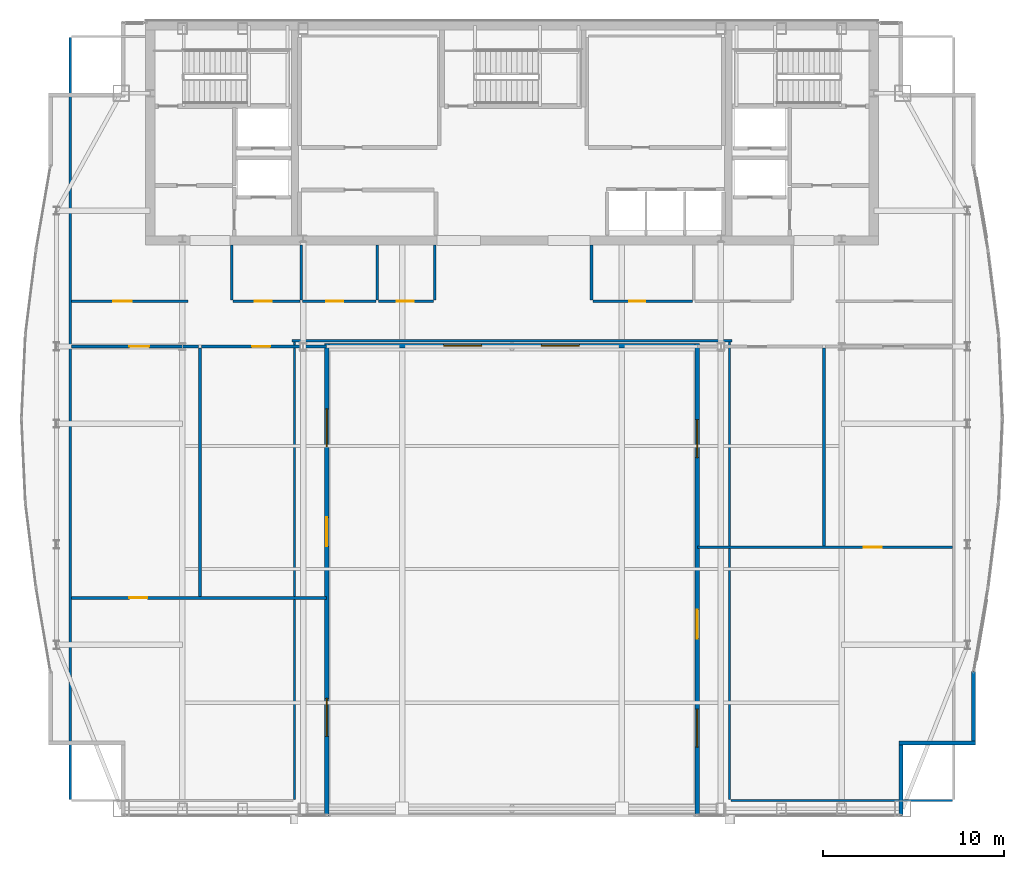
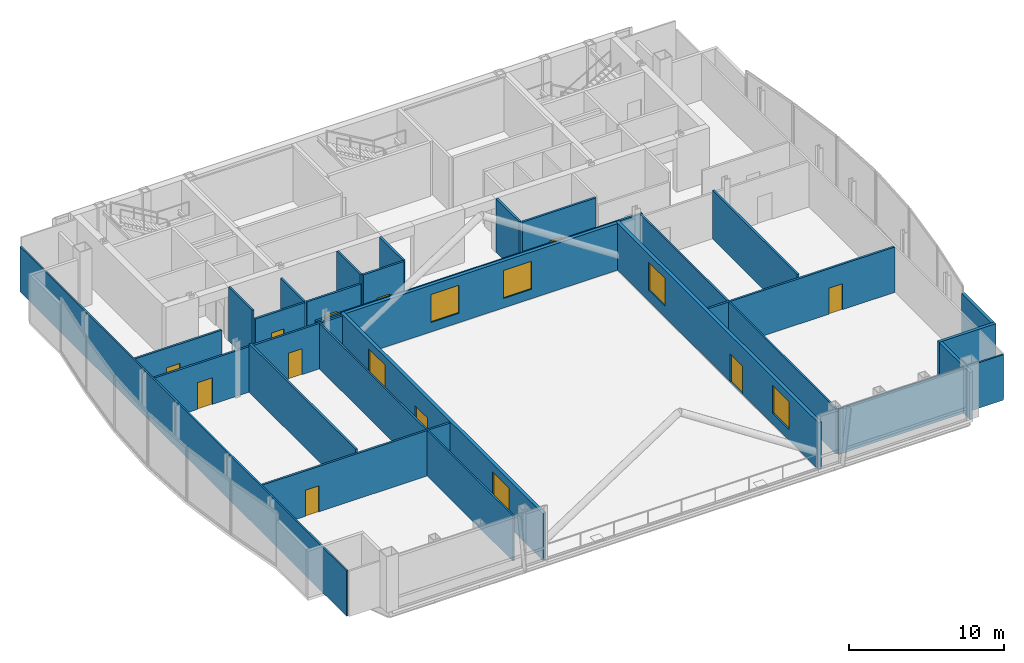
# One storey, part 22 of 27: 27 walls, 11 doors, 6 windows, 17 openings.
"""IFC4 building model written with IfcOpenShell, lengths in metres."""

from ifc_helpers import new_model, si_unit, direction, frame, frame_2d, origin, place, context, subcontext, project, spatial, rectangle, extrude, material, layer, layer_set, type_object, element, fill, save


model = new_model("IFC4")

# Units and contexts
model_context = context("Model", 3, precision=1e-05, world=origin(), true_north=direction((0.0, 1.0)))
body_context = subcontext(model_context, "Body", "Model", "MODEL_VIEW")
ifc_project = project(units=[si_unit("LENGTHUNIT", "METRE"), si_unit("AREAUNIT", "SQUARE_METRE"), si_unit("VOLUMEUNIT", "CUBIC_METRE"), si_unit("PLANEANGLEUNIT", "RADIAN"), si_unit("MASSUNIT", "GRAM", prefix="KILO")], contexts=[model_context])

# Site, building, storey
site_placement = place(None, origin())
site = spatial("IfcSite", under=ifc_project, at=site_placement, CompositionType="ELEMENT")
building_placement = place(site_placement, origin())
building = spatial("IfcBuilding", under=site, at=building_placement, Name="Khoronbel Lancet Exchange", CompositionType="ELEMENT")
storey_placement = place(building_placement, frame((0.0, 0.0, 305.800048828125)))
storey = spatial("IfcBuildingStorey", under=building, at=storey_placement, Name="L79", CompositionType="ELEMENT", Elevation=305.800048828125)

# Walls
ifc_material_1 = material(Name="Precast concrete C40/50", Category="concrete")
ifc_layer_1 = layer(ifc_material_1, 0.25, Name="Precast concrete C40/50")
ifc_layer_set_1 = layer_set([ifc_layer_1], Name="Precast concrete C40/50")
wall_type_1 = type_object("IfcWallType", Name="WL-EXT250", PredefinedType="SOLIDWALL", material=ifc_layer_set_1)
wall_1_placement = place(storey_placement, frame((61.9599609375, 17.727783203125, 0.0), z_axis=(0.0, 0.0, 1.0), x_axis=(0.0, -1.0, 0.0)))
element("IfcWall", 1, at=wall_1_placement, inside=storey, type_object=wall_type_1, Name="Level L79 notched-corner limestone pier 23", PredefinedType="SOLIDWALL", context=body_context, shape_type="SweptSolid", body=[
    extrude(rectangle(XDim=3.827880859375, YDim=0.219970703125, at=frame_2d((1.9140625, 0.0))), origin(), (0.0, 0.0, 1.0), 3.679931640625),
])
wall_2_placement = place(storey_placement, frame((62.070068359375, 13.7900390625, 0.0), z_axis=(0.0, 0.0, 1.0), x_axis=(-1.0, 0.0, 0.0)))
element("IfcWall", 2, at=wall_2_placement, inside=storey, type_object=wall_type_1, Name="Level L79 notched-corner limestone pier 24", PredefinedType="SOLIDWALL", context=body_context, shape_type="SweptSolid", body=[
    extrude(rectangle(XDim=4.219970703125, YDim=0.219970703125, at=frame_2d((2.10986328125, 0.0))), origin(), (0.0, 0.0, 1.0), 3.679931640625),
])
wall_3_placement = place(storey_placement, frame((57.9599609375, 13.679931640625, 0.0), z_axis=(0.0, 0.0, 1.0), x_axis=(0.0, -1.0, 0.0)))
element("IfcWall", 3, at=wall_3_placement, inside=storey, type_object=wall_type_1, Name="Level L79 notched-corner limestone pier 25", PredefinedType="SOLIDWALL", context=body_context, shape_type="SweptSolid", body=[
    extrude(rectangle(XDim=3.909912109375, YDim=0.219970703125, at=frame_2d((1.955078125, 0.0))), origin(), (0.0, 0.0, 1.0), 3.679931640625),
])

# Wall, openings, door, windows
wall_4_placement = place(storey_placement, frame((26.199951171875, 35.875, 0.0), z_axis=(0.0, 0.0, 1.0), x_axis=(0.0, -1.0, 0.0)))
wall_4 = element("IfcWall", 4, at=wall_4_placement, inside=storey, type_object=wall_type_1, Name="Level L79 wind-portal west flank wall", PredefinedType="SOLIDWALL", context=body_context, shape_type="SweptSolid", body=[
    extrude(rectangle(XDim=26.10498046875, YDim=0.25, at=frame_2d((13.052490234375, 0.0))), origin(), (0.0, 0.0, 1.0), 3.679931640625),
])
opening_1_placement = place(wall_4_placement, frame((9.625, 0.0, 0.0)))
opening_1 = element("IfcOpeningElement", 5, at=opening_1_placement, cuts=wall_4, Name="Opening TD1", PredefinedType="OPENING", context=body_context, shape_type="SweptSolid", body=[
    extrude(rectangle(XDim=1.60009765625, YDim=2.199951171875, at=frame_2d((0.800048828125, 1.10009765625))), frame((0.0, 0.135009765625, 0.0), z_axis=(0.0, -1.0, 0.0), x_axis=(1.0, 0.0, 0.0)), (0.0, 0.0, 1.0), 0.27001953125),
])
opening_2_placement = place(wall_4_placement, frame((3.625, 0.0, 0.85009765625)))
opening_2 = element("IfcOpeningElement", 6, at=opening_2_placement, cuts=wall_4, Name="Opening W5", PredefinedType="OPENING", context=body_context, shape_type="SweptSolid", body=[
    extrude(rectangle(XDim=2.10009765625, YDim=2.199951171875, at=frame_2d((1.050048828125, 1.10009765625))), frame((0.0, 0.135009765625, 0.0), z_axis=(0.0, -1.0, 0.0), x_axis=(1.0, 0.0, 0.0)), (0.0, 0.0, 1.0), 0.27001953125),
])
opening_3_placement = place(wall_4_placement, frame((19.625, 0.0, 0.85009765625)))
opening_3 = element("IfcOpeningElement", 7, at=opening_3_placement, cuts=wall_4, Name="Opening W5", PredefinedType="OPENING", context=body_context, shape_type="SweptSolid", body=[
    extrude(rectangle(XDim=2.10009765625, YDim=2.199951171875, at=frame_2d((1.050048828125, 1.10009765625))), frame((0.0, 0.135009765625, 0.0), z_axis=(0.0, -1.0, 0.0), x_axis=(1.0, 0.0, 0.0)), (0.0, 0.0, 1.0), 0.27001953125),
])
ifc_material_2 = material(Name="Glazed Bronze-Anodised Aluminium Door Assembly", Category="aluminium")
door_type_1 = type_object("IfcDoorType", Name="DR-TD1", OperationType="NOTDEFINED", PredefinedType="DOOR", material=ifc_material_2)
door_1_placement = place(opening_1_placement, origin())
door_1 = element("IfcDoor", 8, at=door_1_placement, inside=storey, type_object=door_type_1, Name="Wind portal west observation deck door", OperationType="DOUBLE_DOOR_SINGLE_SWING", OverallHeight=2.199951171875, OverallWidth=1.60009765625, PredefinedType="DOOR", context=body_context, shape_type="SweptSolid", body=[
    extrude(rectangle(XDim=1.60009765625, YDim=2.199951171875, at=frame_2d((0.800048828125, 1.10009765625))), frame((0.0, 0.02490234375, 0.0), z_axis=(0.0, -1.0, 0.0), x_axis=(1.0, 0.0, 0.0)), (0.0, 0.0, 1.0), 0.050048828125),
])
fill(opening_1, door_1)
ifc_material_3 = material(Name="Low-E Solar Control Insulating Glass", Category="glass")
window_type = type_object("IfcWindowType", Name="WIN-W5", PartitioningType="SINGLE_PANEL", PredefinedType="WINDOW", material=ifc_material_3)
window_1_placement = place(opening_2_placement, origin())
window_1 = element("IfcWindow", 9, at=window_1_placement, inside=storey, type_object=window_type, Name="WIN-L79-PORTAL-W1", OverallHeight=2.199951171875, OverallWidth=2.10009765625, PartitioningType="SINGLE_PANEL", PredefinedType="WINDOW", context=body_context, shape_type="SweptSolid", body=[
    extrude(rectangle(XDim=2.10009765625, YDim=2.199951171875, at=frame_2d((1.050048828125, 1.10009765625))), frame((0.0, 0.030029296875, 0.0), z_axis=(0.0, -1.0, 0.0), x_axis=(1.0, 0.0, 0.0)), (0.0, 0.0, 1.0), 0.06005859375),
])
fill(opening_2, window_1)
window_2_placement = place(opening_3_placement, origin())
window_2 = element("IfcWindow", 10, at=window_2_placement, inside=storey, type_object=window_type, Name="WIN-L79-PORTAL-W2", OverallHeight=2.199951171875, OverallWidth=2.10009765625, PartitioningType="SINGLE_PANEL", PredefinedType="WINDOW", context=body_context, shape_type="SweptSolid", body=[
    extrude(rectangle(XDim=2.10009765625, YDim=2.199951171875, at=frame_2d((1.050048828125, 1.10009765625))), frame((0.0, 0.030029296875, 0.0), z_axis=(0.0, -1.0, 0.0), x_axis=(1.0, 0.0, 0.0)), (0.0, 0.0, 1.0), 0.06005859375),
])
fill(opening_3, window_2)

wall_5_placement = place(storey_placement, frame((46.699951171875, 9.77001953125, 0.0), z_axis=(0.0, 0.0, 1.0), x_axis=(0.0, 1.0, 0.0)))
wall_5 = element("IfcWall", 11, at=wall_5_placement, inside=storey, type_object=wall_type_1, Name="Level L79 wind-portal east flank wall", PredefinedType="SOLIDWALL", context=body_context, shape_type="SweptSolid", body=[
    extrude(rectangle(XDim=26.10498046875, YDim=0.25, at=frame_2d((13.052490234375, 0.0))), origin(), (0.0, 0.0, 1.0), 3.679931640625),
])
opening_4_placement = place(wall_5_placement, frame((9.780029296875, 0.0, 0.0)))
opening_4 = element("IfcOpeningElement", 12, at=opening_4_placement, cuts=wall_5, Name="Opening TD1", PredefinedType="OPENING", context=body_context, shape_type="SweptSolid", body=[
    extrude(rectangle(XDim=1.60009765625, YDim=2.199951171875, at=frame_2d((0.800048828125, 1.10009765625))), frame((0.0, 0.135009765625, 0.0), z_axis=(0.0, -1.0, 0.0), x_axis=(1.0, 0.0, 0.0)), (0.0, 0.0, 1.0), 0.27001953125),
])
opening_5_placement = place(wall_5_placement, frame((3.780029296875, 0.0, 0.85009765625)))
opening_5 = element("IfcOpeningElement", 13, at=opening_5_placement, cuts=wall_5, Name="Opening W5", PredefinedType="OPENING", context=body_context, shape_type="SweptSolid", body=[
    extrude(rectangle(XDim=2.10009765625, YDim=2.199951171875, at=frame_2d((1.050048828125, 1.10009765625))), frame((0.0, 0.135009765625, 0.0), z_axis=(0.0, -1.0, 0.0), x_axis=(1.0, 0.0, 0.0)), (0.0, 0.0, 1.0), 0.27001953125),
])
opening_6_placement = place(wall_5_placement, frame((19.780029296875, 0.0, 0.85009765625)))
opening_6 = element("IfcOpeningElement", 14, at=opening_6_placement, cuts=wall_5, Name="Opening W5", PredefinedType="OPENING", context=body_context, shape_type="SweptSolid", body=[
    extrude(rectangle(XDim=2.10009765625, YDim=2.199951171875, at=frame_2d((1.050048828125, 1.10009765625))), frame((0.0, 0.135009765625, 0.0), z_axis=(0.0, -1.0, 0.0), x_axis=(1.0, 0.0, 0.0)), (0.0, 0.0, 1.0), 0.27001953125),
])
door_2_placement = place(opening_4_placement, origin())
door_2 = element("IfcDoor", 15, at=door_2_placement, inside=storey, type_object=door_type_1, Name="Wind portal east observation deck door", OperationType="DOUBLE_DOOR_SINGLE_SWING", OverallHeight=2.199951171875, OverallWidth=1.60009765625, PredefinedType="DOOR", context=body_context, shape_type="SweptSolid", body=[
    extrude(rectangle(XDim=1.60009765625, YDim=2.199951171875, at=frame_2d((0.800048828125, 1.10009765625))), frame((0.0, 0.02490234375, 0.0), z_axis=(0.0, -1.0, 0.0), x_axis=(1.0, 0.0, 0.0)), (0.0, 0.0, 1.0), 0.050048828125),
])
fill(opening_4, door_2)
window_3_placement = place(opening_5_placement, origin())
window_3 = element("IfcWindow", 16, at=window_3_placement, inside=storey, type_object=window_type, Name="WIN-L79-PORTAL-E1", OverallHeight=2.199951171875, OverallWidth=2.10009765625, PartitioningType="SINGLE_PANEL", PredefinedType="WINDOW", context=body_context, shape_type="SweptSolid", body=[
    extrude(rectangle(XDim=2.10009765625, YDim=2.199951171875, at=frame_2d((1.050048828125, 1.10009765625))), frame((0.0, 0.030029296875, 0.0), z_axis=(0.0, -1.0, 0.0), x_axis=(1.0, 0.0, 0.0)), (0.0, 0.0, 1.0), 0.06005859375),
])
fill(opening_5, window_3)
window_4_placement = place(opening_6_placement, origin())
window_4 = element("IfcWindow", 17, at=window_4_placement, inside=storey, type_object=window_type, Name="WIN-L79-PORTAL-E2", OverallHeight=2.199951171875, OverallWidth=2.10009765625, PartitioningType="SINGLE_PANEL", PredefinedType="WINDOW", context=body_context, shape_type="SweptSolid", body=[
    extrude(rectangle(XDim=2.10009765625, YDim=2.199951171875, at=frame_2d((1.050048828125, 1.10009765625))), frame((0.0, 0.030029296875, 0.0), z_axis=(0.0, -1.0, 0.0), x_axis=(1.0, 0.0, 0.0)), (0.0, 0.0, 1.0), 0.06005859375),
])
fill(opening_6, window_4)

# Wall, openings, windows
wall_6_placement = place(storey_placement, frame((26.324951171875, 35.75, 0.0), z_axis=(0.0, 0.0, 1.0), x_axis=(1.0, 0.0, 0.0)))
wall_6 = element("IfcWall", 18, at=wall_6_placement, inside=storey, type_object=wall_type_1, Name="Level L79 wind-portal north spine wall", PredefinedType="SOLIDWALL", context=body_context, shape_type="SweptSolid", body=[
    extrude(rectangle(XDim=20.25, YDim=0.25, at=frame_2d((10.125, 0.0))), origin(), (0.0, 0.0, 1.0), 3.679931640625),
])
opening_7_placement = place(wall_6_placement, frame((6.35009765625, 0.0, 0.75)))
opening_7 = element("IfcOpeningElement", 19, at=opening_7_placement, cuts=wall_6, Name="Opening W5", PredefinedType="OPENING", context=body_context, shape_type="SweptSolid", body=[
    extrude(rectangle(XDim=2.10009765625, YDim=2.199951171875, at=frame_2d((1.050048828125, 1.10009765625))), frame((0.0, 0.135009765625, 0.0), z_axis=(0.0, -1.0, 0.0), x_axis=(1.0, 0.0, 0.0)), (0.0, 0.0, 1.0), 0.27001953125),
])
opening_8_placement = place(wall_6_placement, frame((11.75, 0.0, 0.75)))
opening_8 = element("IfcOpeningElement", 20, at=opening_8_placement, cuts=wall_6, Name="Opening W5", PredefinedType="OPENING", context=body_context, shape_type="SweptSolid", body=[
    extrude(rectangle(XDim=2.10009765625, YDim=2.199951171875, at=frame_2d((1.050048828125, 1.10009765625))), frame((0.0, 0.135009765625, 0.0), z_axis=(0.0, -1.0, 0.0), x_axis=(1.0, 0.0, 0.0)), (0.0, 0.0, 1.0), 0.27001953125),
])
window_5_placement = place(opening_7_placement, origin())
window_5 = element("IfcWindow", 21, at=window_5_placement, inside=storey, type_object=window_type, Name="WIN-L79-PORTAL-N1", OverallHeight=2.199951171875, OverallWidth=2.10009765625, PartitioningType="SINGLE_PANEL", PredefinedType="WINDOW", context=body_context, shape_type="SweptSolid", body=[
    extrude(rectangle(XDim=2.10009765625, YDim=2.199951171875, at=frame_2d((1.050048828125, 1.10009765625))), frame((0.0, 0.030029296875, 0.0), z_axis=(0.0, -1.0, 0.0), x_axis=(1.0, 0.0, 0.0)), (0.0, 0.0, 1.0), 0.06005859375),
])
fill(opening_7, window_5)
window_6_placement = place(opening_8_placement, origin())
window_6 = element("IfcWindow", 22, at=window_6_placement, inside=storey, type_object=window_type, Name="WIN-L79-PORTAL-N2", OverallHeight=2.199951171875, OverallWidth=2.10009765625, PartitioningType="SINGLE_PANEL", PredefinedType="WINDOW", context=body_context, shape_type="SweptSolid", body=[
    extrude(rectangle(XDim=2.10009765625, YDim=2.199951171875, at=frame_2d((1.050048828125, 1.10009765625))), frame((0.0, 0.030029296875, 0.0), z_axis=(0.0, -1.0, 0.0), x_axis=(1.0, 0.0, 0.0)), (0.0, 0.0, 1.0), 0.06005859375),
])
fill(opening_8, window_6)

# Wall
ifc_material_4 = material(Name="Acoustic Metal-Stud & Mineral-Wool Gypsum Partition 120 mm", Category="gypsum")
ifc_layer_2 = layer(ifc_material_4, 0.1201171875, Name="Acoustic Metal-Stud & Mineral-Wool Gypsum Partition 120 mm")
ifc_layer_set_2 = layer_set([ifc_layer_2], Name="Acoustic Metal-Stud & Mineral-Wool Gypsum Partition 120 mm")
wall_type_2 = type_object("IfcWallType", Name="WL-PRT120", PredefinedType="PARTITIONING", material=ifc_layer_set_2)
wall_7_placement = place(storey_placement, frame((19.199951171875, 21.8798828125, 0.0), z_axis=(0.0, 0.0, 1.0), x_axis=(0.0, 1.0, 0.0)))
element("IfcWall", 23, at=wall_7_placement, inside=storey, type_object=wall_type_2, Name="Level L79 interior partition PW-WP-WV", PredefinedType="PARTITIONING", context=body_context, shape_type="SweptSolid", body=[
    extrude(rectangle(XDim=13.740234375, YDim=0.14990234375, at=frame_2d((6.8701171875, 0.0))), origin(), (0.0, 0.0, 1.0), 3.829833984375),
])

# Wall, opening, door
wall_8_placement = place(storey_placement, frame((12.094970703125, 21.800048828125, 0.0), z_axis=(0.0, 0.0, 1.0), x_axis=(1.0, 0.0, 0.0)))
wall_8 = element("IfcWall", 24, at=wall_8_placement, inside=storey, type_object=wall_type_2, Name="Level L79 interior partition PW-WP-WH", PredefinedType="PARTITIONING", context=body_context, shape_type="SweptSolid", body=[
    extrude(rectangle(XDim=14.10498046875, YDim=0.14990234375, at=frame_2d((7.052490234375, 0.0))), origin(), (0.0, 0.0, 1.0), 3.579833984375),
])
opening_9_placement = place(wall_8_placement, frame((3.199951171875, 0.0, 0.0)))
opening_9 = element("IfcOpeningElement", 25, at=opening_9_placement, cuts=wall_8, Name="Opening D8", PredefinedType="OPENING", context=body_context, shape_type="SweptSolid", body=[
    extrude(rectangle(XDim=1.0, YDim=2.050048828125, at=frame_2d((0.5, 1.02490234375))), frame((0.0, 0.0849609375, 0.0), z_axis=(0.0, -1.0, 0.0), x_axis=(1.0, 0.0, 0.0)), (0.0, 0.0, 1.0), 0.169921875),
])
ifc_material_5 = material(Name="Acoustic Bronze-Framed Glass Suite Door", Category="glass")
door_type_2 = type_object("IfcDoorType", Name="DR-D8", OperationType="NOTDEFINED", PredefinedType="DOOR", material=ifc_material_5)
door_3_placement = place(opening_9_placement, origin())
door_3 = element("IfcDoor", 26, at=door_3_placement, inside=storey, type_object=door_type_2, Name="Portal west south salon door L79-1", OperationType="SINGLE_SWING_LEFT", OverallHeight=2.050048828125, OverallWidth=1.0, PredefinedType="DOOR", context=body_context, shape_type="SweptSolid", body=[
    extrude(rectangle(XDim=1.0, YDim=2.050048828125, at=frame_2d((0.5, 1.02490234375))), frame((0.0, 0.02490234375, 0.0), z_axis=(0.0, -1.0, 0.0), x_axis=(1.0, 0.0, 0.0)), (0.0, 0.0, 1.0), 0.050048828125),
])
fill(opening_9, door_3)

# Wall
wall_9_placement = place(storey_placement, frame((53.699951171875, 24.679931640625, 0.0), z_axis=(0.0, 0.0, 1.0), x_axis=(0.0, 1.0, 0.0)))
element("IfcWall", 27, at=wall_9_placement, inside=storey, type_object=wall_type_2, Name="Level L79 interior partition PW-WP-EV", PredefinedType="PARTITIONING", context=body_context, shape_type="SweptSolid", body=[
    extrude(rectangle(XDim=10.940185546875, YDim=0.14990234375, at=frame_2d((5.47021484375, 0.0))), origin(), (0.0, 0.0, 1.0), 3.829833984375),
])

# Wall, opening, door
wall_10_placement = place(storey_placement, frame((46.699951171875, 24.60009765625, 0.0), z_axis=(0.0, 0.0, 1.0), x_axis=(1.0, 0.0, 0.0)))
wall_10 = element("IfcWall", 28, at=wall_10_placement, inside=storey, type_object=wall_type_2, Name="Level L79 interior partition PW-WP-EH", PredefinedType="PARTITIONING", context=body_context, shape_type="SweptSolid", body=[
    extrude(rectangle(XDim=14.10498046875, YDim=0.14990234375, at=frame_2d((7.052490234375, 0.0))), origin(), (0.0, 0.0, 1.0), 3.579833984375),
])
opening_10_placement = place(wall_10_placement, frame((9.199951171875, 0.0, 0.0)))
opening_10 = element("IfcOpeningElement", 29, at=opening_10_placement, cuts=wall_10, Name="Opening D8", PredefinedType="OPENING", context=body_context, shape_type="SweptSolid", body=[
    extrude(rectangle(XDim=1.0, YDim=2.050048828125, at=frame_2d((0.5, 1.02490234375))), frame((0.0, 0.0849609375, 0.0), z_axis=(0.0, -1.0, 0.0), x_axis=(1.0, 0.0, 0.0)), (0.0, 0.0, 1.0), 0.169921875),
])
door_4_placement = place(opening_10_placement, origin())
door_4 = element("IfcDoor", 30, at=door_4_placement, inside=storey, type_object=door_type_2, Name="Portal east south dining door L79-1", OperationType="SINGLE_SWING_RIGHT", OverallHeight=2.050048828125, OverallWidth=1.0, PredefinedType="DOOR", context=body_context, shape_type="SweptSolid", body=[
    extrude(rectangle(XDim=1.0, YDim=2.050048828125, at=frame_2d((0.5, 1.02490234375))), frame((0.0, 0.02490234375, 0.0), z_axis=(0.0, -1.0, 0.0), x_axis=(1.0, 0.0, 0.0)), (0.0, 0.0, 1.0), 0.050048828125),
])
fill(opening_10, door_4)

# Walls
wall_11_placement = place(storey_placement, frame((20.949951171875, 38.280029296875, 0.0), z_axis=(0.0, 0.0, 1.0), x_axis=(0.0, 1.0, 0.0)))
element("IfcWall", 31, at=wall_11_placement, inside=storey, type_object=wall_type_2, Name="Level L79 interior partition PW-WP-WC0", PredefinedType="PARTITIONING", context=body_context, shape_type="SweptSolid", body=[
    extrude(rectangle(XDim=3.02001953125, YDim=0.14990234375, at=frame_2d((1.510009765625, 0.0))), origin(), (0.0, 0.0, 1.0), 4.239990234375),
])
wall_12_placement = place(storey_placement, frame((24.800048828125, 38.280029296875, 0.0), z_axis=(0.0, 0.0, 1.0), x_axis=(0.0, 1.0, 0.0)))
element("IfcWall", 32, at=wall_12_placement, inside=storey, type_object=wall_type_2, Name="Level L79 interior partition PW-WP-WC1", PredefinedType="PARTITIONING", context=body_context, shape_type="SweptSolid", body=[
    extrude(rectangle(XDim=3.02001953125, YDim=0.14990234375, at=frame_2d((1.510009765625, 0.0))), origin(), (0.0, 0.0, 1.0), 3.579833984375),
])
for number, where, z_axis, x_axis, name in (
    (33, (29.0, 38.280029296875, 0.0), (0.0, 0.0, 1.0), (0.0, 1.0, 0.0), "Level L79 interior partition PW-WP-WC2"),
    (34, (32.179931640625, 38.280029296875, 0.0), (0.0, 0.0, 1.0), (0.0, 1.0, 0.0), "Level L79 interior partition PW-WP-WC3"),
    (35, (40.85009765625, 38.280029296875, 0.0), (0.0, 0.0, 1.0), (0.0, 1.0, 0.0), "Level L79 interior partition PW-WP-NP0"),
):
    element("IfcWall", number, at=place(storey_placement, frame(where, z_axis=z_axis, x_axis=x_axis)), inside=storey, type_object=wall_type_2, Name=name, PredefinedType="PARTITIONING", context=body_context, shape_type="SweptSolid", body=[
        extrude(rectangle(XDim=3.02001953125, YDim=0.14990234375, at=frame_2d((1.510009765625, 0.0))), origin(), (0.0, 0.0, 1.0), 4.239990234375),
    ])
wall_13_placement = place(storey_placement, frame((12.030029296875, 10.6650390625, 0.0), z_axis=(0.0, 0.0, 1.0), x_axis=(0.0, 1.0, 0.0)))
element("IfcWall", 36, at=wall_13_placement, inside=storey, type_object=wall_type_2, Name="Level L79 interior partition PW-LIN-W", PredefinedType="PARTITIONING", context=body_context, shape_type="SweptSolid", body=[
    extrude(rectangle(XDim=42.10986328125, YDim=0.1201171875, at=frame_2d((21.054931640625, 0.0))), origin(), (0.0, 0.0, 1.0), 3.579833984375),
])
wall_14_placement = place(storey_placement, frame((48.544921875, 10.60009765625, 0.0), z_axis=(0.0, 0.0, 1.0), x_axis=(1.0, 0.0, 0.0)))
element("IfcWall", 37, at=wall_14_placement, inside=storey, type_object=wall_type_2, Name="Level L79 interior partition PW-LIN-SE", PredefinedType="PARTITIONING", context=body_context, shape_type="SweptSolid", body=[
    extrude(rectangle(XDim=12.260009765625, YDim=0.1201171875, at=frame_2d((6.1298828125, 0.0))), origin(), (0.0, 0.0, 1.0), 3.579833984375),
])
for number, where, z_axis, x_axis, name in (
    (38, (24.419921875, 10.6650390625, 0.0), (0.0, 0.0, 1.0), (0.0, 1.0, 0.0), "Level L79 interior partition PW-LIN-PW"),
    (39, (48.47998046875, 10.6650390625, 0.0), (0.0, 0.0, 1.0), (0.0, 1.0, 0.0), "Level L79 interior partition PW-LIN-PE"),
):
    element("IfcWall", number, at=place(storey_placement, frame(where, z_axis=z_axis, x_axis=x_axis)), inside=storey, type_object=wall_type_2, Name=name, PredefinedType="PARTITIONING", context=body_context, shape_type="SweptSolid", body=[
        extrude(rectangle(XDim=25.27490234375, YDim=0.1201171875, at=frame_2d((12.637451171875, 0.0))), origin(), (0.0, 0.0, 1.0), 3.579833984375),
    ])

# Wall, opening, door
ifc_material_6 = material(Name="Fire-Rated Twin-Stud Acoustic Gypsum Partition 150 mm", Category="gypsum")
ifc_layer_3 = layer(ifc_material_6, 0.14990234375, Name="Fire-Rated Twin-Stud Acoustic Gypsum Partition 150 mm")
ifc_layer_set_3 = layer_set([ifc_layer_3], Name="Fire-Rated Twin-Stud Acoustic Gypsum Partition 150 mm")
wall_type_3 = type_object("IfcWallType", Name="WL-PRT150C", PredefinedType="PARTITIONING", material=ifc_layer_set_3)
wall_15_placement = place(storey_placement, frame((12.094970703125, 35.699951171875, 0.0), z_axis=(0.0, 0.0, 1.0), x_axis=(1.0, 0.0, 0.0)))
wall_15 = element("IfcWall", 40, at=wall_15_placement, inside=storey, type_object=wall_type_3, Name="Level L79 interior partition PW-WP-WS1", PredefinedType="PARTITIONING", context=body_context, shape_type="SweptSolid", body=[
    extrude(rectangle(XDim=7.025146484375, YDim=0.14990234375, at=frame_2d((3.5126953125, 0.0))), origin(), (0.0, 0.0, 1.0), 3.579833984375),
])
opening_11_placement = place(wall_15_placement, frame((3.199951171875, 0.0, 0.0)))
opening_11 = element("IfcOpeningElement", 41, at=opening_11_placement, cuts=wall_15, Name="Opening D6", PredefinedType="OPENING", context=body_context, shape_type="SweptSolid", body=[
    extrude(rectangle(XDim=1.10009765625, YDim=2.10009765625, at=frame_2d((0.550048828125, 1.050048828125))), frame((0.0, 0.0849609375, 0.0), z_axis=(0.0, -1.0, 0.0), x_axis=(1.0, 0.0, 0.0)), (0.0, 0.0, 1.0), 0.169921875),
])
ifc_material_7 = material(Name="Acoustic Bronze-Veneer Executive Suite Door", Category="wood")
door_type_3 = type_object("IfcDoorType", Name="DR-D6", OperationType="NOTDEFINED", PredefinedType="DOOR", material=ifc_material_7)
door_5_placement = place(opening_11_placement, origin())
door_5 = element("IfcDoor", 42, at=door_5_placement, inside=storey, type_object=door_type_3, Name="Portal west executive suite door L79-1", OperationType="SINGLE_SWING_LEFT", OverallHeight=2.10009765625, OverallWidth=1.10009765625, PredefinedType="DOOR", context=body_context, shape_type="SweptSolid", body=[
    extrude(rectangle(XDim=1.10009765625, YDim=2.10009765625, at=frame_2d((0.550048828125, 1.050048828125))), frame((0.0, 0.02490234375, 0.0), z_axis=(0.0, -1.0, 0.0), x_axis=(1.0, 0.0, 0.0)), (0.0, 0.0, 1.0), 0.050048828125),
])
fill(opening_11, door_5)

wall_16_placement = place(storey_placement, frame((19.280029296875, 35.699951171875, 0.0), z_axis=(0.0, 0.0, 1.0), x_axis=(1.0, 0.0, 0.0)))
wall_16 = element("IfcWall", 43, at=wall_16_placement, inside=storey, type_object=wall_type_3, Name="Level L79 interior partition PW-WP-WS2", PredefinedType="PARTITIONING", context=body_context, shape_type="SweptSolid", body=[
    extrude(rectangle(XDim=6.919921875, YDim=0.14990234375, at=frame_2d((3.4599609375, 0.0))), origin(), (0.0, 0.0, 1.0), 3.579833984375),
])
opening_12_placement = place(wall_16_placement, frame((2.800048828125, 0.0, 0.0)))
opening_12 = element("IfcOpeningElement", 44, at=opening_12_placement, cuts=wall_16, Name="Opening D2", PredefinedType="OPENING", context=body_context, shape_type="SweptSolid", body=[
    extrude(rectangle(XDim=1.0, YDim=2.050048828125, at=frame_2d((0.5, 1.02490234375))), frame((0.0, 0.0849609375, 0.0), z_axis=(0.0, -1.0, 0.0), x_axis=(1.0, 0.0, 0.0)), (0.0, 0.0, 1.0), 0.169921875),
])
ifc_material_8 = material(Name="Acoustic Veneered Timber & Bronze Frame Door", Category="wood")
door_type_4 = type_object("IfcDoorType", Name="DR-D2", OperationType="NOTDEFINED", PredefinedType="DOOR", material=ifc_material_8)
door_6_placement = place(opening_12_placement, origin())
door_6 = element("IfcDoor", 45, at=door_6_placement, inside=storey, type_object=door_type_4, Name="Portal west gallery door L79-1", OperationType="SINGLE_SWING_RIGHT", OverallHeight=2.050048828125, OverallWidth=1.0, PredefinedType="DOOR", context=body_context, shape_type="SweptSolid", body=[
    extrude(rectangle(XDim=1.0, YDim=2.050048828125, at=frame_2d((0.5, 1.02490234375))), frame((0.0, 0.02490234375, 0.0), z_axis=(0.0, -1.0, 0.0), x_axis=(1.0, 0.0, 0.0)), (0.0, 0.0, 1.0), 0.050048828125),
])
fill(opening_12, door_6)

wall_17_placement = place(storey_placement, frame((21.030029296875, 38.199951171875, 0.0), z_axis=(0.0, 0.0, 1.0), x_axis=(1.0, 0.0, 0.0)))
wall_17 = element("IfcWall", 46, at=wall_17_placement, inside=storey, type_object=wall_type_3, Name="Level L79 interior partition PW-WP-WCS1", PredefinedType="PARTITIONING", context=body_context, shape_type="SweptSolid", body=[
    extrude(rectangle(XDim=3.68994140625, YDim=0.14990234375, at=frame_2d((1.844970703125, 0.0))), origin(), (0.0, 0.0, 1.0), 3.579833984375),
])
opening_13_placement = place(wall_17_placement, frame((1.199951171875, 0.0, 0.0)))
opening_13 = element("IfcOpeningElement", 47, at=opening_13_placement, cuts=wall_17, Name="Opening D4", PredefinedType="OPENING", context=body_context, shape_type="SweptSolid", body=[
    extrude(rectangle(XDim=0.949951171875, YDim=2.050048828125, at=frame_2d((0.47509765625, 1.02490234375))), frame((0.0, 0.0849609375, 0.0), z_axis=(0.0, -1.0, 0.0), x_axis=(1.0, 0.0, 0.0)), (0.0, 0.0, 1.0), 0.169921875),
])
ifc_material_9 = material(Name="Moisture-Resistant HPL Washroom Door", Category="wood")
door_type_5 = type_object("IfcDoorType", Name="DR-D4", OperationType="NOTDEFINED", PredefinedType="DOOR", material=ifc_material_9)
door_7_placement = place(opening_13_placement, origin())
door_7 = element("IfcDoor", 48, at=door_7_placement, inside=storey, type_object=door_type_5, Name="Male WC door L79-1", OperationType="SINGLE_SWING_LEFT", OverallHeight=2.050048828125, OverallWidth=0.949951171875, PredefinedType="DOOR", context=body_context, shape_type="SweptSolid", body=[
    extrude(rectangle(XDim=0.949951171875, YDim=2.050048828125, at=frame_2d((0.47509765625, 1.02490234375))), frame((0.0, 0.02490234375, 0.0), z_axis=(0.0, -1.0, 0.0), x_axis=(1.0, 0.0, 0.0)), (0.0, 0.0, 1.0), 0.050048828125),
])
fill(opening_13, door_7)

wall_18_placement = place(storey_placement, frame((24.8798828125, 38.199951171875, 0.0), z_axis=(0.0, 0.0, 1.0), x_axis=(1.0, 0.0, 0.0)))
wall_18 = element("IfcWall", 49, at=wall_18_placement, inside=storey, type_object=wall_type_3, Name="Level L79 interior partition PW-WP-WCS2", PredefinedType="PARTITIONING", context=body_context, shape_type="SweptSolid", body=[
    extrude(rectangle(XDim=4.0400390625, YDim=0.14990234375, at=frame_2d((2.02001953125, 0.0))), origin(), (0.0, 0.0, 1.0), 3.579833984375),
])
opening_14_placement = place(wall_18_placement, frame((1.300048828125, 0.0, 0.0)))
opening_14 = element("IfcOpeningElement", 50, at=opening_14_placement, cuts=wall_18, Name="Opening D4", PredefinedType="OPENING", context=body_context, shape_type="SweptSolid", body=[
    extrude(rectangle(XDim=0.949951171875, YDim=2.050048828125, at=frame_2d((0.47509765625, 1.02490234375))), frame((0.0, 0.0849609375, 0.0), z_axis=(0.0, -1.0, 0.0), x_axis=(1.0, 0.0, 0.0)), (0.0, 0.0, 1.0), 0.169921875),
])
door_8_placement = place(opening_14_placement, origin())
door_8 = element("IfcDoor", 51, at=door_8_placement, inside=storey, type_object=door_type_5, Name="Female WC door L79-1", OperationType="SINGLE_SWING_RIGHT", OverallHeight=2.050048828125, OverallWidth=0.949951171875, PredefinedType="DOOR", context=body_context, shape_type="SweptSolid", body=[
    extrude(rectangle(XDim=0.949951171875, YDim=2.050048828125, at=frame_2d((0.47509765625, 1.02490234375))), frame((0.0, 0.02490234375, 0.0), z_axis=(0.0, -1.0, 0.0), x_axis=(1.0, 0.0, 0.0)), (0.0, 0.0, 1.0), 0.050048828125),
])
fill(opening_14, door_8)

wall_19_placement = place(storey_placement, frame((29.080078125, 38.199951171875, 0.0), z_axis=(0.0, 0.0, 1.0), x_axis=(1.0, 0.0, 0.0)))
wall_19 = element("IfcWall", 52, at=wall_19_placement, inside=storey, type_object=wall_type_3, Name="Level L79 interior partition PW-WP-WCS3", PredefinedType="PARTITIONING", context=body_context, shape_type="SweptSolid", body=[
    extrude(rectangle(XDim=3.02001953125, YDim=0.14990234375, at=frame_2d((1.510009765625, 0.0))), origin(), (0.0, 0.0, 1.0), 4.239990234375),
])
opening_15_placement = place(wall_19_placement, frame((1.0, 0.0, 0.0)))
opening_15 = element("IfcOpeningElement", 53, at=opening_15_placement, cuts=wall_19, Name="Opening D4", PredefinedType="OPENING", context=body_context, shape_type="SweptSolid", body=[
    extrude(rectangle(XDim=0.949951171875, YDim=2.050048828125, at=frame_2d((0.47509765625, 1.02490234375))), frame((0.0, 0.0849609375, 0.0), z_axis=(0.0, -1.0, 0.0), x_axis=(1.0, 0.0, 0.0)), (0.0, 0.0, 1.0), 0.169921875),
])
door_9_placement = place(opening_15_placement, origin())
door_9 = element("IfcDoor", 54, at=door_9_placement, inside=storey, type_object=door_type_5, Name="Accessible WC door L79-1", OperationType="SINGLE_SWING_LEFT", OverallHeight=2.050048828125, OverallWidth=0.949951171875, PredefinedType="DOOR", context=body_context, shape_type="SweptSolid", body=[
    extrude(rectangle(XDim=0.949951171875, YDim=2.050048828125, at=frame_2d((0.47509765625, 1.02490234375))), frame((0.0, 0.02490234375, 0.0), z_axis=(0.0, -1.0, 0.0), x_axis=(1.0, 0.0, 0.0)), (0.0, 0.0, 1.0), 0.050048828125),
])
fill(opening_15, door_9)

wall_20_placement = place(storey_placement, frame((40.929931640625, 38.199951171875, 0.0), z_axis=(0.0, 0.0, 1.0), x_axis=(1.0, 0.0, 0.0)))
wall_20 = element("IfcWall", 55, at=wall_20_placement, inside=storey, type_object=wall_type_3, Name="Level L79 interior partition PW-WP-NPS1", PredefinedType="PARTITIONING", context=body_context, shape_type="SweptSolid", body=[
    extrude(rectangle(XDim=5.489990234375, YDim=0.14990234375, at=frame_2d((2.7451171875, 0.0))), origin(), (0.0, 0.0, 1.0), 4.239990234375),
])
opening_16_placement = place(wall_20_placement, frame((2.0, 0.0, 0.0)))
opening_16 = element("IfcOpeningElement", 56, at=opening_16_placement, cuts=wall_20, Name="Opening D5", PredefinedType="OPENING", context=body_context, shape_type="SweptSolid", body=[
    extrude(rectangle(XDim=0.89990234375, YDim=2.050048828125, at=frame_2d((0.449951171875, 1.02490234375))), frame((0.0, 0.0849609375, 0.0), z_axis=(0.0, -1.0, 0.0), x_axis=(1.0, 0.0, 0.0)), (0.0, 0.0, 1.0), 0.169921875),
])
ifc_material_10 = material(Name="Acoustic Timber Pantry & Support Door", Category="wood")
door_type_6 = type_object("IfcDoorType", Name="DR-D5", OperationType="NOTDEFINED", PredefinedType="DOOR", material=ifc_material_10)
door_10_placement = place(opening_16_placement, origin())
door_10 = element("IfcDoor", 57, at=door_10_placement, inside=storey, type_object=door_type_6, Name="Executive pantry door L79-1", OperationType="SINGLE_SWING_RIGHT", OverallHeight=2.050048828125, OverallWidth=0.89990234375, PredefinedType="DOOR", context=body_context, shape_type="SweptSolid", body=[
    extrude(rectangle(XDim=0.89990234375, YDim=2.050048828125, at=frame_2d((0.449951171875, 1.02490234375))), frame((0.0, 0.02490234375, 0.0), z_axis=(0.0, -1.0, 0.0), x_axis=(1.0, 0.0, 0.0)), (0.0, 0.0, 1.0), 0.050048828125),
])
fill(opening_16, door_10)

wall_21_placement = place(storey_placement, frame((12.094970703125, 38.199951171875, 0.0), z_axis=(0.0, 0.0, 1.0), x_axis=(1.0, 0.0, 0.0)))
wall_21 = element("IfcWall", 58, at=wall_21_placement, inside=storey, type_object=wall_type_3, Name="Level L79 interior partition PW-WP-NW", PredefinedType="PARTITIONING", context=body_context, shape_type="SweptSolid", body=[
    extrude(rectangle(XDim=6.455078125, YDim=0.14990234375, at=frame_2d((3.2275390625, 0.0))), origin(), (0.0, 0.0, 1.0), 3.579833984375),
])
opening_17_placement = place(wall_21_placement, frame((2.320068359375, 0.0, 0.0)))
opening_17 = element("IfcOpeningElement", 59, at=opening_17_placement, cuts=wall_21, Name="Opening D2", PredefinedType="OPENING", context=body_context, shape_type="SweptSolid", body=[
    extrude(rectangle(XDim=1.0, YDim=2.050048828125, at=frame_2d((0.5, 1.02490234375))), frame((0.0, 0.0849609375, 0.0), z_axis=(0.0, -1.0, 0.0), x_axis=(1.0, 0.0, 0.0)), (0.0, 0.0, 1.0), 0.169921875),
])
door_11_placement = place(opening_17_placement, origin())
door_11 = element("IfcDoor", 60, at=door_11_placement, inside=storey, type_object=door_type_4, Name="NW suite door L79-1", OperationType="SINGLE_SWING_RIGHT", OverallHeight=2.050048828125, OverallWidth=1.0, PredefinedType="DOOR", context=body_context, shape_type="SweptSolid", body=[
    extrude(rectangle(XDim=1.0, YDim=2.050048828125, at=frame_2d((0.5, 1.02490234375))), frame((0.0, 0.02490234375, 0.0), z_axis=(0.0, -1.0, 0.0), x_axis=(1.0, 0.0, 0.0)), (0.0, 0.0, 1.0), 0.050048828125),
])
fill(opening_17, door_11)

# Wall
wall_22_placement = place(storey_placement, frame((24.300048828125, 36.02001953125, 0.0), z_axis=(0.0, 0.0, 1.0), x_axis=(1.0, 0.0, 0.0)))
element("IfcWall", 61, at=wall_22_placement, inside=storey, type_object=wall_type_3, Name="Level L79 interior partition PW-WP-CHN", PredefinedType="PARTITIONING", context=body_context, shape_type="SweptSolid", body=[
    extrude(rectangle(XDim=24.300048828125, YDim=0.14990234375, at=frame_2d((12.14990234375, 0.0))), origin(), (0.0, 0.0, 1.0), 3.579833984375),
])

save(model, "model.ifc")
